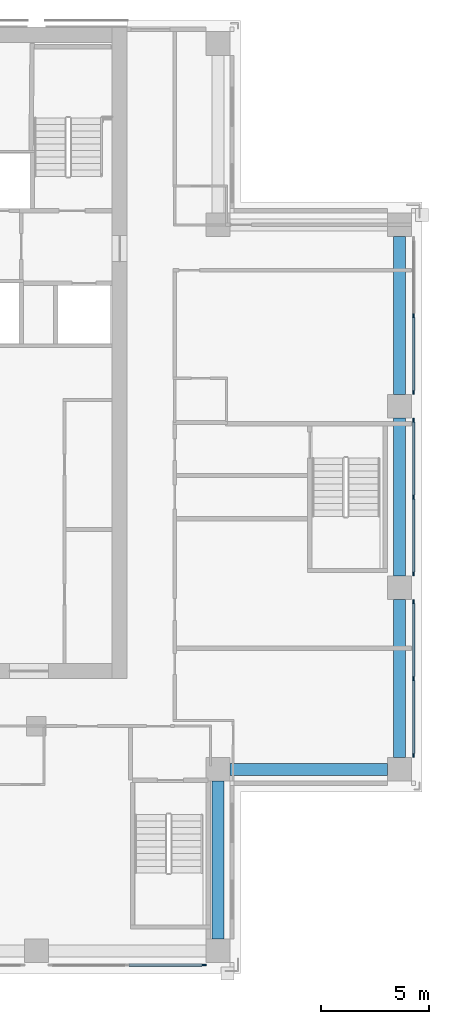
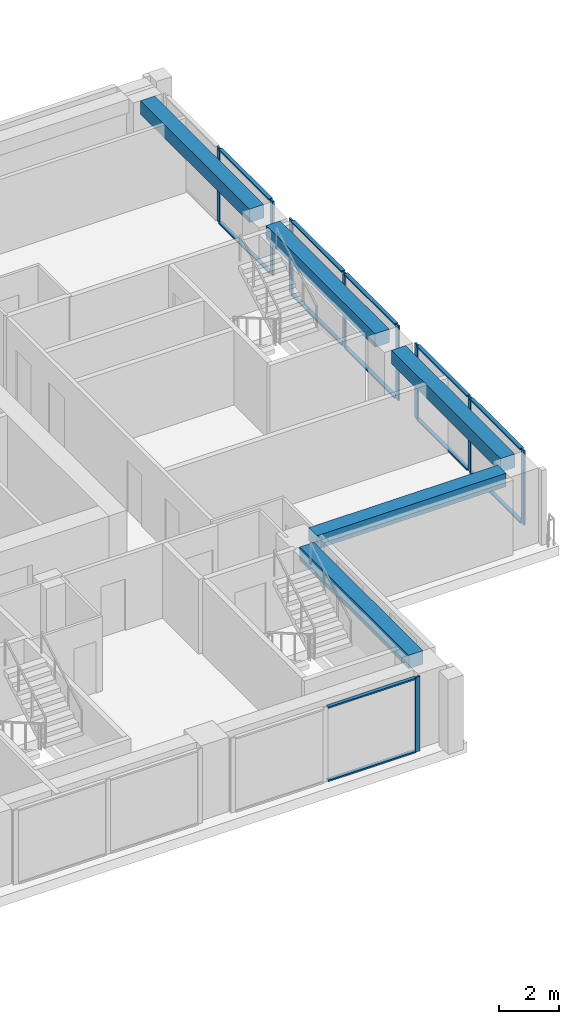
# One storey, part 5 of 16: 21 members, 5 beams, 4 elements without a shape of their own.
"""IFC4 building model written with IfcOpenShell, lengths in metres."""

import ifcopenshell
import ifcopenshell.guid

model = None  # the IFC model being written
_history = None  # IfcOwnerHistory: only IFC2X3 demands one
_inside = {}  # id of a spatial element -> (the spatial element, [elements in it])
_under = {}  # id of a project, library or spatial element -> (it, [spatial elements below it])
_declared = {}  # id of a project -> (the project, [libraries it declares])
_typed = {}  # id of a type object -> (the type object, [elements of that type])
_made_of = {}  # id of a material, layer set ... -> (it, [elements and type objects made of it])


def new_model(schema):
    """Start an empty IFC model of exactly this schema.

    Asked for "IFC4X3", IfcOpenShell would pick the latest addendum, in which some entities
    have other attributes; the version numbers below select the first issue.
    IFC2X3 requires an IfcOwnerHistory on every rooted entity: one is made here for all.
    """
    global model, _history
    if schema == "IFC4X3":
        model = ifcopenshell.file(schema_version=(4, 3, 0, 0))
    else:
        model = ifcopenshell.file(schema=schema)
    _inside.clear()
    _under.clear()
    _declared.clear()
    _typed.clear()
    _made_of.clear()
    _history = None
    if model.schema == "IFC2X3":
        org = make("IfcOrganization", Name="unknown")
        user = make(
            "IfcPersonAndOrganization",
            ThePerson=make("IfcPerson", FamilyName="unknown"),
            TheOrganization=org,
        )
        app = make(
            "IfcApplication",
            ApplicationDeveloper=org,
            Version="unknown",
            ApplicationFullName="unknown",
            ApplicationIdentifier="unknown",
        )
        _history = make(
            "IfcOwnerHistory",
            OwningUser=user,
            OwningApplication=app,
            ChangeAction="ADDED",
            CreationDate=0,
        )
    return model


def make(cls, **values):
    """One entity of the class cls with the attributes given. An attribute that is None is left unset."""
    return model.create_entity(
        cls, **{name: value for name, value in values.items() if value is not None}
    )


def rooted(cls, **values):
    """An entity with a GlobalId (a new one), such as an element, a storey or a relation."""
    return make(cls, GlobalId=ifcopenshell.guid.new(), OwnerHistory=_history, **values)


def si_unit(unit_type, name, prefix=None):
    """IfcSIUnit, for example si_unit("LENGTHUNIT", "METRE", prefix="MILLI")."""
    return make("IfcSIUnit", UnitType=unit_type, Prefix=prefix, Name=name)


def assignment(units):
    """IfcUnitAssignment: the units of a project."""
    return None if units is None else make("IfcUnitAssignment", Units=units)


def point(xyz):
    """IfcCartesianPoint."""
    return None if xyz is None else make("IfcCartesianPoint", Coordinates=xyz)


def direction(xyz):
    """IfcDirection."""
    return None if xyz is None else make("IfcDirection", DirectionRatios=xyz)


def frame(location, z_axis=None, x_axis=None):
    """IfcAxis2Placement3D, a coordinate frame: its origin and axes. An axis left out is left unset."""
    return make(
        "IfcAxis2Placement3D",
        Location=point(location),
        Axis=direction(z_axis),
        RefDirection=direction(x_axis),
    )


def frame_2d(location, x_axis=None):
    """IfcAxis2Placement2D, a coordinate frame in the plane: its origin and x axis."""
    return make(
        "IfcAxis2Placement2D", Location=point(location), RefDirection=direction(x_axis)
    )


def origin():
    """The frame at (0, 0, 0) with its axes left unset."""
    return frame((0.0, 0.0, 0.0))


def origin_2d():
    """The frame at (0, 0) in the plane with its x axis left unset."""
    return frame_2d((0.0, 0.0))


def place(relative_to, where):
    """IfcLocalPlacement: puts the frame where relative to a parent placement (None: the world)."""
    return make(
        "IfcLocalPlacement", PlacementRelTo=relative_to, RelativePlacement=where
    )


def context(
    kind, dimensions, precision=None, world=None, true_north=None, identifier=None
):
    """IfcGeometricRepresentationContext, for example the 3D "Model" context."""
    return make(
        "IfcGeometricRepresentationContext",
        ContextIdentifier=identifier,
        ContextType=kind,
        CoordinateSpaceDimension=dimensions,
        Precision=precision,
        WorldCoordinateSystem=world,
        TrueNorth=true_north,
    )


def subcontext(parent, identifier, kind, view, scale=None):
    """IfcGeometricRepresentationSubContext, for example "Body" below "Model"."""
    return make(
        "IfcGeometricRepresentationSubContext",
        ContextIdentifier=identifier,
        ContextType=kind,
        ParentContext=parent,
        TargetScale=scale,
        TargetView=view,
    )


def project(units=None, contexts=None):
    """IfcProject with its units and contexts."""
    return rooted(
        "IfcProject",
        Name="project",
        RepresentationContexts=contexts,
        UnitsInContext=assignment(units),
    )


def spatial(cls, under=None, at=None, **own):
    """A site, building, storey or space (cls), placed at a placement, below another one or the project."""
    s = rooted(cls, ObjectPlacement=at, **own)
    if under is not None:
        _under.setdefault(under.id(), (under, []))[1].append(s)
    return s


def profile(cls, at=None, kind="AREA", **sizes):
    """A parametric profile (cls). Its sizes go by their IFC names, for example OverallWidth=200.0."""
    return make(cls, ProfileType=kind, Position=at, **sizes)


def rectangle(**sizes):
    """IfcRectangleProfileDef."""
    return profile("IfcRectangleProfileDef", **sizes)


def extrude(swept, where, along, depth):
    """IfcExtrudedAreaSolid: the profile swept, set in the frame where, extruded along a direction by depth."""
    return make(
        "IfcExtrudedAreaSolid",
        SweptArea=swept,
        Position=where,
        ExtrudedDirection=direction(along),
        Depth=depth,
    )


def shape(context_of_items, identifier, shape_type, items):
    """IfcShapeRepresentation: the items that make up one representation, for example the "Body"."""
    return make(
        "IfcShapeRepresentation",
        ContextOfItems=context_of_items,
        RepresentationIdentifier=identifier,
        RepresentationType=shape_type,
        Items=items,
    )


def material(Name=None, Category=None):
    """IfcMaterial."""
    return make("IfcMaterial", Name=Name, Category=Category)


def material_profile(
    of_material, cross_section, Name=None, Category=None, Priority=None
):
    """IfcMaterialProfile: a cross section and its material."""
    return make(
        "IfcMaterialProfile",
        Name=Name,
        Material=of_material,
        Profile=cross_section,
        Priority=Priority,
        Category=Category,
    )


def profile_set(profiles, Name=None, composite=None):
    """IfcMaterialProfileSet."""
    return make(
        "IfcMaterialProfileSet",
        Name=Name,
        MaterialProfiles=profiles,
        CompositeProfile=composite,
    )


def made_of(thing, what):
    """Note that an element or type object is made of a material, layer set ...; save() writes the relation."""
    if what is not None:
        _made_of.setdefault(what.id(), (what, []))[1].append(thing)
    return thing


def type_object(cls, material=None, **own):
    """A type object (cls), such as IfcWallType, which elements share."""
    return made_of(rooted(cls, **own), material)


def element(
    cls,
    number,
    at=None,
    inside=None,
    cuts=None,
    type_object=None,
    material=None,
    context=None,
    identifier="Body",
    shape_type=None,
    held_by="IfcProductDefinitionShape",
    body=None,
    shapes=None,
    **own,
):
    """One element of the class cls, such as IfcWall. Its Tag is "e" and its number.

    at: its placement. inside: the storey or other place that contains it. cuts: it is an
    opening in that element (IfcRelVoidsElement). A single representation is given by context,
    identifier, shape_type and body (its items); several are given by shapes. held_by: the class
    of the entity that holds the representations. save() writes the other relations.
    """
    e = rooted(cls, Tag="e%d" % number, ObjectPlacement=at, **own)
    if body is not None:
        shapes = [shape(context, identifier, shape_type, body)]
    if shapes is not None:
        e.Representation = make(held_by, Representations=shapes)
    if inside is not None:
        _inside.setdefault(inside.id(), (inside, []))[1].append(e)
    if cuts is not None:
        rooted(
            "IfcRelVoidsElement", RelatingBuildingElement=cuts, RelatedOpeningElement=e
        )
    if type_object is not None:
        _typed.setdefault(type_object.id(), (type_object, []))[1].append(e)
    return made_of(e, material)


def aggregate(whole, parts):
    """IfcRelAggregates: a whole, such as a stair, and the parts it consists of."""
    return rooted("IfcRelAggregates", RelatingObject=whole, RelatedObjects=parts)


def save(model, path):
    """Write the relations noted so far, then the file.

    IfcRelAggregates (storeys below a building ...), IfcRelContainedInSpatialStructure (elements
    in a storey), IfcRelDefinesByType, IfcRelAssociatesMaterial and IfcRelDeclares: one each for
    every whole, place, type object, material and project.
    """
    for whole, parts in _under.values():
        aggregate(whole, parts)
    for where, things in _inside.values():
        rooted(
            "IfcRelContainedInSpatialStructure",
            RelatedElements=things,
            RelatingStructure=where,
        )
    for kind, things in _typed.values():
        rooted("IfcRelDefinesByType", RelatedObjects=things, RelatingType=kind)
    for what, things in _made_of.values():
        rooted("IfcRelAssociatesMaterial", RelatedObjects=things, RelatingMaterial=what)
    for by, libraries in _declared.values():
        rooted("IfcRelDeclares", RelatingContext=by, RelatedDefinitions=libraries)
    model.write(path)


model = new_model("IFC4")

# Units and contexts
model_context = context("Model", 3, precision=1e-05, world=origin(), true_north=direction((0.0, 1.0)))
body_context = subcontext(model_context, "Body", "Model", "MODEL_VIEW")
ifc_project = project(units=[si_unit("LENGTHUNIT", "METRE"), si_unit("AREAUNIT", "SQUARE_METRE"), si_unit("VOLUMEUNIT", "CUBIC_METRE"), si_unit("PLANEANGLEUNIT", "RADIAN"), si_unit("MASSUNIT", "GRAM", prefix="KILO")], contexts=[model_context])

# Site, building, storey
site_placement = place(None, origin())
site = spatial("IfcSite", under=ifc_project, at=site_placement, CompositionType="ELEMENT")
building_placement = place(site_placement, origin())
building = spatial("IfcBuilding", under=site, at=building_placement, Name="Vermilion Ogive Tower", CompositionType="ELEMENT")
storey_placement = place(building_placement, frame((0.0, 0.0, 140.0)))
storey = spatial("IfcBuildingStorey", under=building, at=storey_placement, Name="L35", CompositionType="ELEMENT", Elevation=140.0)

# Curtain wall, member
ifc_material_1 = material(Name="Low-iron laminated glazing in aluminium frame", Category="aluminium")
curtain_wall_type = type_object("IfcCurtainWallType", Name="Curtain wall CW7", PredefinedType="NOTDEFINED", material=ifc_material_1)
curtain_wall_1_placement = place(storey_placement, origin())
curtain_wall_1 = element("IfcCurtainWall", 1, at=curtain_wall_1_placement, inside=storey, type_object=curtain_wall_type, Name="Glazed skin S3", PredefinedType="NOTDEFINED")
ifc_material_2 = material(Name="Aluminium mullion", Category="aluminium")
ifc_material_profile_1 = material_profile(ifc_material_2, rectangle(XDim=0.06005859375, YDim=0.179931640625, at=origin_2d()), Name="AL 60x180")
ifc_profile_set_1 = profile_set([ifc_material_profile_1], Name="Aluminium mullion")
member_type_1 = type_object("IfcMemberType", Name="CW7 mullion 60x180", PredefinedType="MULLION", material=ifc_profile_set_1)
member_1_placement = place(storey_placement, frame((11.9599609375, -21.64990234375, 0.0), z_axis=(0.0, 0.0, 1.0), x_axis=(0.0, 1.0, 0.0)))
member_1 = element("IfcMember", 2, at=member_1_placement, type_object=member_type_1, Name="CW7-S3 mullion 3", PredefinedType="MULLION", context=body_context, shape_type="SweptSolid", body=[
    extrude(rectangle(XDim=0.06005859375, YDim=0.179931640625, at=origin_2d()), origin(), (0.0, 0.0, 1.0), 3.050048828125),
])

# Curtain wall, members
curtain_wall_2_placement = place(storey_placement, origin())
curtain_wall_2 = element("IfcCurtainWall", 3, at=curtain_wall_2_placement, inside=storey, type_object=curtain_wall_type, Name="Glazed skin E1", PredefinedType="NOTDEFINED")
member_2_placement = place(storey_placement, frame((21.64990234375, -11.9599609375, 0.0), z_axis=(0.0, 0.0, 1.0), x_axis=(-1.0, 0.0, 0.0)))
member_2 = element("IfcMember", 4, at=member_2_placement, type_object=member_type_1, Name="CW7-E1 mullion 1", PredefinedType="MULLION", context=body_context, shape_type="SweptSolid", body=[
    extrude(rectangle(XDim=0.06005859375, YDim=0.179931640625, at=origin_2d()), origin(), (0.0, 0.0, 1.0), 3.050048828125),
])
member_3_placement = place(storey_placement, frame((21.64990234375, -8.39990234375, 0.0), z_axis=(0.0, 0.0, 1.0), x_axis=(-1.0, 0.0, 0.0)))
member_3 = element("IfcMember", 5, at=member_3_placement, type_object=member_type_1, Name="CW7-E1 mullion 2", PredefinedType="MULLION", context=body_context, shape_type="SweptSolid", body=[
    extrude(rectangle(XDim=0.06005859375, YDim=0.179931640625, at=origin_2d()), origin(), (0.0, 0.0, 1.0), 3.050048828125),
])
member_4_placement = place(storey_placement, frame((21.64990234375, -4.840087890625, 0.0), z_axis=(0.0, 0.0, 1.0), x_axis=(-1.0, 0.0, 0.0)))
member_4 = element("IfcMember", 6, at=member_4_placement, type_object=member_type_1, Name="CW7-E1 mullion 3", PredefinedType="MULLION", context=body_context, shape_type="SweptSolid", body=[
    extrude(rectangle(XDim=0.06005859375, YDim=0.179931640625, at=origin_2d()), origin(), (0.0, 0.0, 1.0), 3.050048828125),
])

curtain_wall_3_placement = place(storey_placement, origin())
curtain_wall_3 = element("IfcCurtainWall", 7, at=curtain_wall_3_placement, inside=storey, type_object=curtain_wall_type, Name="Glazed skin E2", PredefinedType="NOTDEFINED")
member_5_placement = place(storey_placement, frame((21.64990234375, -3.56005859375, 0.0), z_axis=(0.0, 0.0, 1.0), x_axis=(-1.0, 0.0, 0.0)))
member_5 = element("IfcMember", 8, at=member_5_placement, type_object=member_type_1, Name="CW7-E2 mullion 1", PredefinedType="MULLION", context=body_context, shape_type="SweptSolid", body=[
    extrude(rectangle(XDim=0.06005859375, YDim=0.179931640625, at=origin_2d()), origin(), (0.0, 0.0, 1.0), 3.050048828125),
])
member_6_placement = place(storey_placement, frame((21.64990234375, 0.0, 0.0), z_axis=(0.0, 0.0, 1.0), x_axis=(-1.0, 0.0, 0.0)))
member_6 = element("IfcMember", 9, at=member_6_placement, type_object=member_type_1, Name="CW7-E2 mullion 2", PredefinedType="MULLION", context=body_context, shape_type="SweptSolid", body=[
    extrude(rectangle(XDim=0.06005859375, YDim=0.179931640625, at=origin_2d()), origin(), (0.0, 0.0, 1.0), 3.050048828125),
])
member_7_placement = place(storey_placement, frame((21.64990234375, 3.56005859375, 0.0), z_axis=(0.0, 0.0, 1.0), x_axis=(-1.0, 0.0, 0.0)))
member_7 = element("IfcMember", 10, at=member_7_placement, type_object=member_type_1, Name="CW7-E2 mullion 3", PredefinedType="MULLION", context=body_context, shape_type="SweptSolid", body=[
    extrude(rectangle(XDim=0.06005859375, YDim=0.179931640625, at=origin_2d()), origin(), (0.0, 0.0, 1.0), 3.050048828125),
])

curtain_wall_4_placement = place(storey_placement, origin())
curtain_wall_4 = element("IfcCurtainWall", 11, at=curtain_wall_4_placement, inside=storey, type_object=curtain_wall_type, Name="Glazed skin E3", PredefinedType="NOTDEFINED")
member_8_placement = place(storey_placement, frame((21.64990234375, 4.840087890625, 0.0), z_axis=(0.0, 0.0, 1.0), x_axis=(-1.0, 0.0, 0.0)))
member_8 = element("IfcMember", 12, at=member_8_placement, type_object=member_type_1, Name="CW7-E3 mullion 1", PredefinedType="MULLION", context=body_context, shape_type="SweptSolid", body=[
    extrude(rectangle(XDim=0.06005859375, YDim=0.179931640625, at=origin_2d()), origin(), (0.0, 0.0, 1.0), 3.050048828125),
])
member_9_placement = place(storey_placement, frame((21.64990234375, 8.39990234375, 0.0), z_axis=(0.0, 0.0, 1.0), x_axis=(-1.0, 0.0, 0.0)))
member_9 = element("IfcMember", 13, at=member_9_placement, type_object=member_type_1, Name="CW7-E3 mullion 2", PredefinedType="MULLION", context=body_context, shape_type="SweptSolid", body=[
    extrude(rectangle(XDim=0.06005859375, YDim=0.179931640625, at=origin_2d()), origin(), (0.0, 0.0, 1.0), 3.050048828125),
])

# Member
ifc_material_3 = material(Name="Aluminium transom", Category="aluminium")
ifc_material_profile_2 = material_profile(ifc_material_3, rectangle(XDim=0.139892578125, YDim=0.06005859375, at=origin_2d()), Name="AL 60x140")
ifc_profile_set_2 = profile_set([ifc_material_profile_2], Name="Aluminium transom")
member_type_2 = type_object("IfcMemberType", Name="CW7 transom 60x140", PredefinedType="USERDEFINED", material=ifc_profile_set_2)
member_10_placement = place(storey_placement, frame((8.489990234375, -21.64990234375, 0.030029296875), z_axis=(1.0, 0.0, 0.0), x_axis=(0.0, 1.0, 0.0)))
member_10 = element("IfcMember", 14, at=member_10_placement, type_object=member_type_2, Name="CW7-S3 transom 2.1", ObjectType="TRANSOM", PredefinedType="USERDEFINED", context=body_context, shape_type="SweptSolid", body=[
    extrude(rectangle(XDim=0.139892578125, YDim=0.06005859375, at=origin_2d()), origin(), (0.0, 0.0, 1.0), 3.380126953125),
])

member_11_placement = place(storey_placement, frame((8.489990234375, -21.64990234375, 3.02001953125), z_axis=(1.0, 0.0, 0.0), x_axis=(0.0, 1.0, 0.0)))
member_11 = element("IfcMember", 15, at=member_11_placement, type_object=member_type_2, Name="CW7-S3 transom 2.2", ObjectType="TRANSOM", PredefinedType="USERDEFINED", context=body_context, shape_type="SweptSolid", body=[
    extrude(rectangle(XDim=0.139892578125, YDim=0.06005859375, at=origin_2d()), origin(), (0.0, 0.0, 1.0), 3.380126953125),
])

aggregate(curtain_wall_1, [member_1, member_10, member_11])

member_12_placement = place(storey_placement, frame((21.64990234375, -11.8701171875, 0.030029296875), z_axis=(0.0, 1.0, 0.0), x_axis=(-1.0, 0.0, 0.0)))
member_12 = element("IfcMember", 16, at=member_12_placement, type_object=member_type_2, Name="CW7-E1 transom 1.1", ObjectType="TRANSOM", PredefinedType="USERDEFINED", context=body_context, shape_type="SweptSolid", body=[
    extrude(rectangle(XDim=0.139892578125, YDim=0.06005859375, at=origin_2d()), origin(), (0.0, 0.0, 1.0), 3.380126953125),
])

member_13_placement = place(storey_placement, frame((21.64990234375, -11.8701171875, 3.02001953125), z_axis=(0.0, 1.0, 0.0), x_axis=(-1.0, 0.0, 0.0)))
member_13 = element("IfcMember", 17, at=member_13_placement, type_object=member_type_2, Name="CW7-E1 transom 1.2", ObjectType="TRANSOM", PredefinedType="USERDEFINED", context=body_context, shape_type="SweptSolid", body=[
    extrude(rectangle(XDim=0.139892578125, YDim=0.06005859375, at=origin_2d()), origin(), (0.0, 0.0, 1.0), 3.380126953125),
])

member_14_placement = place(storey_placement, frame((21.64990234375, -8.31005859375, 0.030029296875), z_axis=(0.0, 1.0, 0.0), x_axis=(-1.0, 0.0, 0.0)))
member_14 = element("IfcMember", 18, at=member_14_placement, type_object=member_type_2, Name="CW7-E1 transom 2.1", ObjectType="TRANSOM", PredefinedType="USERDEFINED", context=body_context, shape_type="SweptSolid", body=[
    extrude(rectangle(XDim=0.139892578125, YDim=0.06005859375, at=origin_2d()), origin(), (0.0, 0.0, 1.0), 3.380126953125),
])

member_15_placement = place(storey_placement, frame((21.64990234375, -8.31005859375, 3.02001953125), z_axis=(0.0, 1.0, 0.0), x_axis=(-1.0, 0.0, 0.0)))
member_15 = element("IfcMember", 19, at=member_15_placement, type_object=member_type_2, Name="CW7-E1 transom 2.2", ObjectType="TRANSOM", PredefinedType="USERDEFINED", context=body_context, shape_type="SweptSolid", body=[
    extrude(rectangle(XDim=0.139892578125, YDim=0.06005859375, at=origin_2d()), origin(), (0.0, 0.0, 1.0), 3.380126953125),
])

aggregate(curtain_wall_2, [member_2, member_3, member_4, member_12, member_13, member_14, member_15])

member_16_placement = place(storey_placement, frame((21.64990234375, -3.469970703125, 0.030029296875), z_axis=(0.0, 1.0, 0.0), x_axis=(-1.0, 0.0, 0.0)))
member_16 = element("IfcMember", 20, at=member_16_placement, type_object=member_type_2, Name="CW7-E2 transom 1.1", ObjectType="TRANSOM", PredefinedType="USERDEFINED", context=body_context, shape_type="SweptSolid", body=[
    extrude(rectangle(XDim=0.139892578125, YDim=0.06005859375, at=origin_2d()), origin(), (0.0, 0.0, 1.0), 3.3798828125),
])

member_17_placement = place(storey_placement, frame((21.64990234375, -3.469970703125, 3.02001953125), z_axis=(0.0, 1.0, 0.0), x_axis=(-1.0, 0.0, 0.0)))
member_17 = element("IfcMember", 21, at=member_17_placement, type_object=member_type_2, Name="CW7-E2 transom 1.2", ObjectType="TRANSOM", PredefinedType="USERDEFINED", context=body_context, shape_type="SweptSolid", body=[
    extrude(rectangle(XDim=0.139892578125, YDim=0.06005859375, at=origin_2d()), origin(), (0.0, 0.0, 1.0), 3.3798828125),
])

member_18_placement = place(storey_placement, frame((21.64990234375, 0.090087890625, 0.030029296875), z_axis=(0.0, 1.0, 0.0), x_axis=(-1.0, 0.0, 0.0)))
member_18 = element("IfcMember", 22, at=member_18_placement, type_object=member_type_2, Name="CW7-E2 transom 2.1", ObjectType="TRANSOM", PredefinedType="USERDEFINED", context=body_context, shape_type="SweptSolid", body=[
    extrude(rectangle(XDim=0.139892578125, YDim=0.06005859375, at=origin_2d()), origin(), (0.0, 0.0, 1.0), 3.3798828125),
])

member_19_placement = place(storey_placement, frame((21.64990234375, 0.090087890625, 3.02001953125), z_axis=(0.0, 1.0, 0.0), x_axis=(-1.0, 0.0, 0.0)))
member_19 = element("IfcMember", 23, at=member_19_placement, type_object=member_type_2, Name="CW7-E2 transom 2.2", ObjectType="TRANSOM", PredefinedType="USERDEFINED", context=body_context, shape_type="SweptSolid", body=[
    extrude(rectangle(XDim=0.139892578125, YDim=0.06005859375, at=origin_2d()), origin(), (0.0, 0.0, 1.0), 3.3798828125),
])

aggregate(curtain_wall_3, [member_5, member_6, member_7, member_16, member_17, member_18, member_19])

member_20_placement = place(storey_placement, frame((21.64990234375, 4.929931640625, 0.030029296875), z_axis=(0.0, 1.0, 0.0), x_axis=(-1.0, 0.0, 0.0)))
member_20 = element("IfcMember", 24, at=member_20_placement, type_object=member_type_2, Name="CW7-E3 transom 1.1", ObjectType="TRANSOM", PredefinedType="USERDEFINED", context=body_context, shape_type="SweptSolid", body=[
    extrude(rectangle(XDim=0.139892578125, YDim=0.06005859375, at=origin_2d()), origin(), (0.0, 0.0, 1.0), 3.380126953125),
])

member_21_placement = place(storey_placement, frame((21.64990234375, 4.929931640625, 3.02001953125), z_axis=(0.0, 1.0, 0.0), x_axis=(-1.0, 0.0, 0.0)))
member_21 = element("IfcMember", 25, at=member_21_placement, type_object=member_type_2, Name="CW7-E3 transom 1.2", ObjectType="TRANSOM", PredefinedType="USERDEFINED", context=body_context, shape_type="SweptSolid", body=[
    extrude(rectangle(XDim=0.139892578125, YDim=0.06005859375, at=origin_2d()), origin(), (0.0, 0.0, 1.0), 3.380126953125),
])

aggregate(curtain_wall_4, [member_8, member_9, member_20, member_21])

# Beams
ifc_material_4 = material(Name="Concrete B45", Category="concrete")
ifc_material_profile_3 = material_profile(ifc_material_4, rectangle(XDim=0.550048828125, YDim=0.550048828125, at=origin_2d()), Name="550 x 550")
ifc_profile_set_3 = profile_set([ifc_material_profile_3], Name="Concrete B45")
beam_type = type_object("IfcBeamType", Name="Edge beam 550 x 550 B45", PredefinedType="BEAM", material=ifc_profile_set_3)
for number, where, z_axis, x_axis, name in (
    (26, (12.60009765625, -20.449951171875, 2.77490234375), (0.0, 1.0, 0.0), (-1.0, 0.0, 0.0), "L35-EB-4"),
    (27, (13.14990234375, -12.60009765625, 2.77490234375), (1.0, 0.0, 0.0), (0.0, 1.0, 0.0), "L35-EB-5"),
    (28, (21.0, -12.050048828125, 2.77490234375), (0.0, 1.0, 0.0), (-1.0, 0.0, 0.0), "L35-EB-6"),
):
    element("IfcBeam", number, at=place(storey_placement, frame(where, z_axis=z_axis, x_axis=x_axis)), inside=storey, type_object=beam_type, Name=name, PredefinedType="BEAM", context=body_context, shape_type="SweptSolid", body=[
        extrude(rectangle(XDim=0.550048828125, YDim=0.550048828125, at=origin_2d()), origin(), (0.0, 0.0, 1.0), 7.300048828125),
    ])
beam_1_placement = place(storey_placement, frame((21.0, -3.64990234375, 2.77490234375), z_axis=(0.0, 1.0, 0.0), x_axis=(-1.0, 0.0, 0.0)))
element("IfcBeam", 29, at=beam_1_placement, inside=storey, type_object=beam_type, Name="L35-EB-7", PredefinedType="BEAM", context=body_context, shape_type="SweptSolid", body=[
    extrude(rectangle(XDim=0.550048828125, YDim=0.550048828125, at=origin_2d()), origin(), (0.0, 0.0, 1.0), 7.2998046875),
])
beam_2_placement = place(storey_placement, frame((21.0, 4.75, 2.77490234375), z_axis=(0.0, 1.0, 0.0), x_axis=(-1.0, 0.0, 0.0)))
element("IfcBeam", 30, at=beam_2_placement, inside=storey, type_object=beam_type, Name="L35-EB-8", PredefinedType="BEAM", context=body_context, shape_type="SweptSolid", body=[
    extrude(rectangle(XDim=0.550048828125, YDim=0.550048828125, at=origin_2d()), origin(), (0.0, 0.0, 1.0), 7.300048828125),
])

save(model, "model.ifc")
